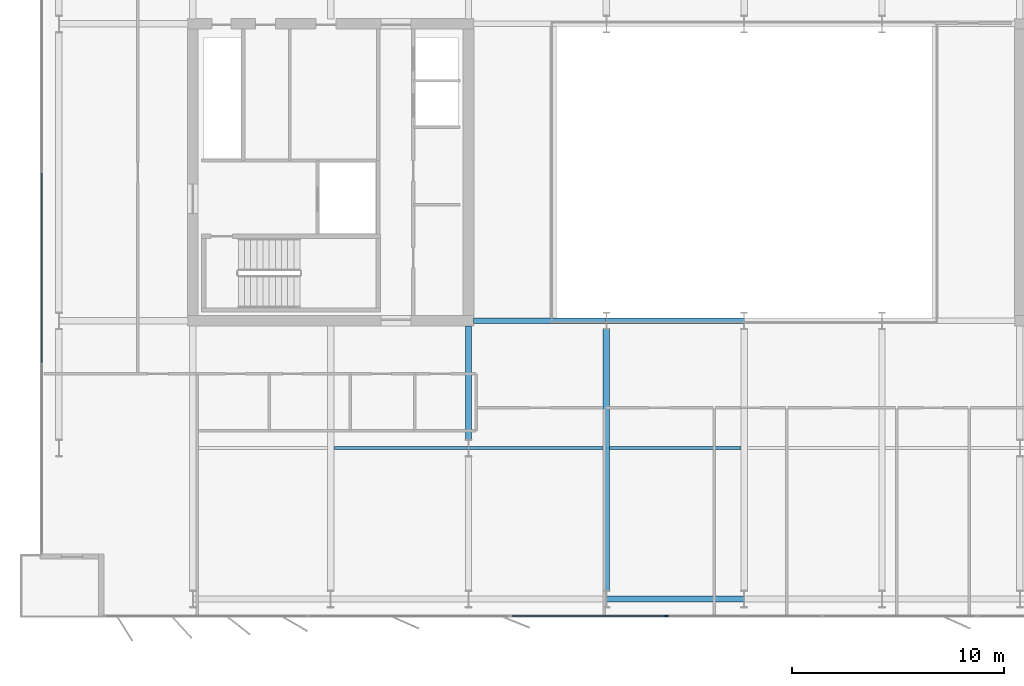
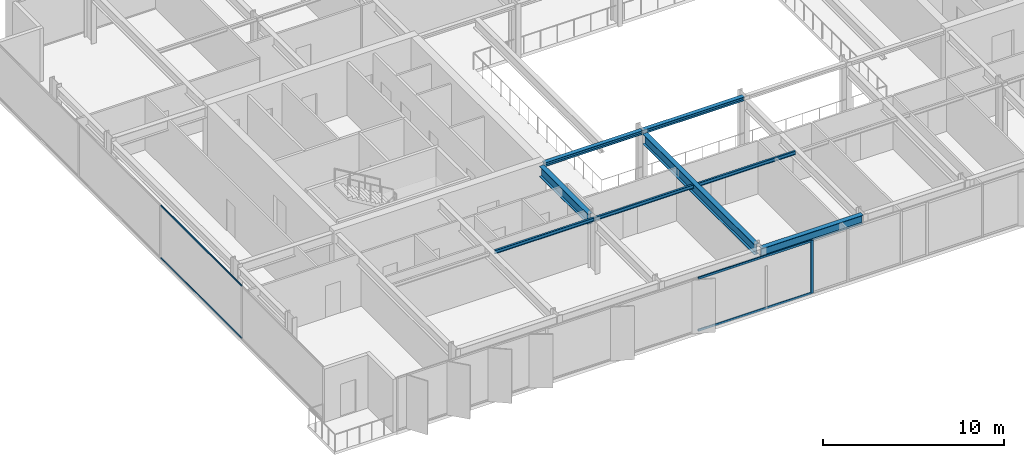
# One storey, part 4 of 24: 8 beams, 5 members, 2 elements without a shape of their own.
"""IFC4 building model written with IfcOpenShell, lengths in metres."""

from ifc_helpers import new_model, si_unit, direction, frame, origin, origin_2d, place, context, subcontext, project, spatial, rectangle, i_section, extrude, material, layer, layer_set, material_profile, profile_set, type_object, element, aggregate, save


model = new_model("IFC4")

# Units and contexts
model_context = context("Model", 3, precision=1e-05, world=origin(), true_north=direction((0.0, 1.0)))
body_context = subcontext(model_context, "Body", "Model", "MODEL_VIEW")
ifc_project = project(units=[si_unit("LENGTHUNIT", "METRE"), si_unit("AREAUNIT", "SQUARE_METRE"), si_unit("VOLUMEUNIT", "CUBIC_METRE"), si_unit("PLANEANGLEUNIT", "RADIAN"), si_unit("MASSUNIT", "GRAM", prefix="KILO")], contexts=[model_context])

# Site, building, storey
site_placement = place(None, origin())
site = spatial("IfcSite", under=ifc_project, at=site_placement, CompositionType="ELEMENT")
building_placement = place(site_placement, origin())
building = spatial("IfcBuilding", under=site, at=building_placement, Name="Putna Gate Headquarters", CompositionType="ELEMENT")
storey_placement = place(building_placement, frame((0.0, 0.0, 236.60009765625)))
storey = spatial("IfcBuildingStorey", under=building, at=storey_placement, Name="L59", CompositionType="ELEMENT", Elevation=236.60009765625)

# Beams
ifc_material_1 = material(Name="Steel S355J2", Category="steel")
ifc_material_profile_1 = material_profile(ifc_material_1, i_section(OverallWidth=0.260009765625, OverallDepth=0.260009765625, WebThickness=0.010009765625, FlangeThickness=0.017578125, at=origin_2d()), Name="Steel S355J2")
ifc_profile_set_1 = profile_set([ifc_material_profile_1], Name="Steel S355J2")
beam_type_1 = type_object("IfcBeamType", Name="BM-ATRIUM-HEB260", PredefinedType="BEAM", material=ifc_profile_set_1)
beam_1_placement = place(storey_placement, frame((26.235107421875, 19.0, 3.449951171875), z_axis=(1.0, 0.0, 0.0), x_axis=(0.0, 1.0, 0.0)))
element("IfcBeam", 1, at=beam_1_placement, inside=storey, type_object=beam_type_1, Name="L59 Atrium Edge Beam AS1", PredefinedType="BEAM", context=body_context, shape_type="SweptSolid", body=[
    extrude(i_section(OverallWidth=0.260009765625, OverallDepth=0.260009765625, WebThickness=0.010009765625, FlangeThickness=0.017578125, at=origin_2d()), origin(), (0.0, 0.0, 1.0), 6.2587890625),
])
beam_2_placement = place(storey_placement, frame((32.506103515625, 19.0, 3.449951171875), z_axis=(1.0, 0.0, 0.0), x_axis=(0.0, 1.0, 0.0)))
element("IfcBeam", 2, at=beam_2_placement, inside=storey, type_object=beam_type_1, Name="L59 Atrium Edge Beam AS2", PredefinedType="BEAM", context=body_context, shape_type="SweptSolid", body=[
    extrude(i_section(OverallWidth=0.260009765625, OverallDepth=0.260009765625, WebThickness=0.010009765625, FlangeThickness=0.017578125, at=origin_2d()), origin(), (0.0, 0.0, 1.0), 6.48779296875),
])
ifc_material_profile_2 = material_profile(ifc_material_1, i_section(OverallWidth=0.300048828125, OverallDepth=0.699951171875, WebThickness=0.01708984375, FlangeThickness=0.031982421875, at=origin_2d()), Name="Steel S355J2")
ifc_profile_set_2 = profile_set([ifc_material_profile_2], Name="Steel S355J2")
beam_type_2 = type_object("IfcBeamType", Name="BM-GIRD-B-HEB700", PredefinedType="USERDEFINED", material=ifc_profile_set_2)
beam_3_placement = place(storey_placement, frame((26.0, 13.39501953125, 3.22998046875), z_axis=(0.0, 1.0, 0.0), x_axis=(-1.0, 0.0, 0.0)))
element("IfcBeam", 3, at=beam_3_placement, inside=storey, type_object=beam_type_2, Name="L59 South Primary Girder X26-2", ObjectType="GIRDER", PredefinedType="USERDEFINED", context=body_context, shape_type="SweptSolid", body=[
    extrude(i_section(OverallWidth=0.300048828125, OverallDepth=0.699951171875, WebThickness=0.01708984375, FlangeThickness=0.031982421875, at=origin_2d()), origin(), (0.0, 0.0, 1.0), 5.369873046875),
])
beam_4_placement = place(storey_placement, frame((32.5, 6.27490234375, 3.22998046875), z_axis=(0.0, 1.0, 0.0), x_axis=(-1.0, 0.0, 0.0)))
element("IfcBeam", 4, at=beam_4_placement, inside=storey, type_object=beam_type_2, Name="L59 South Primary Girder X32", ObjectType="GIRDER", PredefinedType="USERDEFINED", context=body_context, shape_type="SweptSolid", body=[
    extrude(i_section(OverallWidth=0.300048828125, OverallDepth=0.699951171875, WebThickness=0.01708984375, FlangeThickness=0.031982421875, at=origin_2d()), origin(), (0.0, 0.0, 1.0), 12.330078125),
])
ifc_material_profile_3 = material_profile(ifc_material_1, i_section(OverallWidth=0.1201171875, OverallDepth=0.239990234375, WebThickness=0.006103515625, FlangeThickness=0.009765625, at=origin_2d()), Name="Steel S355J2")
ifc_profile_set_3 = profile_set([ifc_material_profile_3], Name="Steel S355J2")
beam_type_3 = type_object("IfcBeamType", Name="BM-SEC-Z4-IPE240", PredefinedType="JOIST", material=ifc_profile_set_3)
for number, where, z_axis, x_axis, name in (
    (5, (19.654052734375, 13.0, 3.4599609375), (1.0, 0.0, 0.0), (0.0, 1.0, 0.0), "L59 South Secondary Beam 2"),
    (6, (26.006103515625, 13.0, 3.4599609375), (1.0, 0.0, 0.0), (0.0, 1.0, 0.0), "L59 South Secondary Beam 3"),
):
    element("IfcBeam", number, at=place(storey_placement, frame(where, z_axis=z_axis, x_axis=x_axis)), inside=storey, type_object=beam_type_3, Name=name, PredefinedType="JOIST", context=body_context, shape_type="SweptSolid", body=[
        extrude(i_section(OverallWidth=0.1201171875, OverallDepth=0.239990234375, WebThickness=0.006103515625, FlangeThickness=0.009765625, at=origin_2d()), origin(), (0.0, 0.0, 1.0), 6.33984375),
    ])
beam_5_placement = place(storey_placement, frame((32.654052734375, 13.0, 3.4599609375), z_axis=(1.0, 0.0, 0.0), x_axis=(0.0, 1.0, 0.0)))
element("IfcBeam", 7, at=beam_5_placement, inside=storey, type_object=beam_type_3, Name="L59 South Secondary Beam 4", PredefinedType="JOIST", context=body_context, shape_type="SweptSolid", body=[
    extrude(i_section(OverallWidth=0.1201171875, OverallDepth=0.239990234375, WebThickness=0.006103515625, FlangeThickness=0.009765625, at=origin_2d()), origin(), (0.0, 0.0, 1.0), 6.19189453125),
])
ifc_material_profile_4 = material_profile(ifc_material_1, i_section(OverallWidth=0.300048828125, OverallDepth=0.590087890625, WebThickness=0.012939453125, FlangeThickness=0.02490234375, at=origin_2d()), Name="Steel S355J2")
ifc_profile_set_4 = profile_set([ifc_material_profile_4], Name="Steel S355J2")
beam_type_4 = type_object("IfcBeamType", Name="BM-SPAN-Z4-HEA600", PredefinedType="SPANDREL", material=ifc_profile_set_4)
beam_6_placement = place(storey_placement, frame((32.506103515625, 5.8798828125, 3.284912109375), z_axis=(1.0, 0.0, 0.0), x_axis=(0.0, 1.0, 0.0)))
element("IfcBeam", 8, at=beam_6_placement, inside=storey, type_object=beam_type_4, Name="L59 S Perimeter Spandrel 4", PredefinedType="SPANDREL", context=body_context, shape_type="SweptSolid", body=[
    extrude(i_section(OverallWidth=0.300048828125, OverallDepth=0.590087890625, WebThickness=0.012939453125, FlangeThickness=0.02490234375, at=origin_2d()), origin(), (0.0, 0.0, 1.0), 6.48779296875),
])

# Curtain wall, member
ifc_material_2 = material(Name="Anodised bronze aluminium curtain wall", Category="aluminium")
ifc_layer_1 = layer(ifc_material_2, 0.179931640625)
ifc_layer_set_1 = layer_set([ifc_layer_1], Name="Anodised bronze aluminium curtain wall")
curtain_wall_type_1 = type_object("IfcCurtainWallType", Name="CW-SYS-ATR", PredefinedType="USERDEFINED", material=ifc_layer_set_1)
curtain_wall_1_placement = place(storey_placement, origin())
curtain_wall_1 = element("IfcCurtainWall", 9, at=curtain_wall_1_placement, inside=storey, type_object=curtain_wall_type_1, Name="L59 South Atrium Clear Glazing", ObjectType="ATRIUM GLAZING", PredefinedType="USERDEFINED")
ifc_material_3 = material(Name="Anodised bronze aluminium EN AW-6060", Category="aluminium")
ifc_material_profile_5 = material_profile(ifc_material_3, rectangle(XDim=0.070068359375, YDim=0.179931640625, at=origin_2d()), Name="Anodised bronze aluminium EN AW-6060")
ifc_profile_set_5 = profile_set([ifc_material_profile_5], Name="Anodised bronze aluminium EN AW-6060")
member_type_1 = type_object("IfcMemberType", Name="MULL-CWM-AT", PredefinedType="MULLION", material=ifc_profile_set_5)
member_1_placement = place(storey_placement, frame((35.333251953125, 5.080078125, 0.0), z_axis=(0.0, 0.0, 1.0), x_axis=(0.0, 1.0, 0.0)))
member_1 = element("IfcMember", 10, at=member_1_placement, type_object=member_type_1, Name="CWS-AT mullion 2", PredefinedType="MULLION", context=body_context, shape_type="SweptSolid", body=[
    extrude(rectangle(XDim=0.070068359375, YDim=0.179931640625, at=origin_2d()), origin(), (0.0, 0.0, 1.0), 3.579833984375),
])

# Curtain wall, members
ifc_layer_2 = layer(ifc_material_2, 0.139892578125)
ifc_layer_set_2 = layer_set([ifc_layer_2], Name="Anodised bronze aluminium curtain wall")
curtain_wall_type_2 = type_object("IfcCurtainWallType", Name="CW-SYS-Z4", PredefinedType="USERDEFINED", material=ifc_layer_set_2)
curtain_wall_2_placement = place(storey_placement, origin())
curtain_wall_2 = element("IfcCurtainWall", 11, at=curtain_wall_2_placement, inside=storey, type_object=curtain_wall_type_2, Name="L59 West Curtain Wall", ObjectType="STICK CURTAIN WALL", PredefinedType="USERDEFINED")
ifc_material_profile_6 = material_profile(ifc_material_3, rectangle(XDim=0.06005859375, YDim=0.10009765625, at=origin_2d()), Name="Anodised bronze aluminium EN AW-6060")
ifc_profile_set_6 = profile_set([ifc_material_profile_6], Name="Anodised bronze aluminium EN AW-6060")
member_type_2 = type_object("IfcMemberType", Name="TRAN-CWT-4", PredefinedType="USERDEFINED", material=ifc_profile_set_6)
member_2_placement = place(storey_placement, frame((5.8798828125, 17.030029296875, 0.02978515625), z_axis=(0.0, 1.0, 0.0), x_axis=(-1.0, 0.0, 0.0)))
member_2 = element("IfcMember", 12, at=member_2_placement, type_object=member_type_2, Name="CWS-4 transom 2.1", ObjectType="TRANSOM", PredefinedType="USERDEFINED", context=body_context, shape_type="SweptSolid", body=[
    extrude(rectangle(XDim=0.06005859375, YDim=0.10009765625, at=origin_2d()), origin(), (0.0, 0.0, 1.0), 8.93994140625),
])
member_3_placement = place(storey_placement, frame((5.8798828125, 17.030029296875, 3.5498046875), z_axis=(0.0, 1.0, 0.0), x_axis=(-1.0, 0.0, 0.0)))
member_3 = element("IfcMember", 13, at=member_3_placement, type_object=member_type_2, Name="CWS-4 transom 2.2", ObjectType="TRANSOM", PredefinedType="USERDEFINED", context=body_context, shape_type="SweptSolid", body=[
    extrude(rectangle(XDim=0.06005859375, YDim=0.10009765625, at=origin_2d()), origin(), (0.0, 0.0, 1.0), 8.93994140625),
])
aggregate(curtain_wall_2, [member_2, member_3])

# Member
ifc_material_profile_7 = material_profile(ifc_material_3, rectangle(XDim=0.070068359375, YDim=0.139892578125, at=origin_2d()), Name="Anodised bronze aluminium EN AW-6060")
ifc_profile_set_7 = profile_set([ifc_material_profile_7], Name="Anodised bronze aluminium EN AW-6060")
member_type_3 = type_object("IfcMemberType", Name="TRAN-CWT-AT", PredefinedType="USERDEFINED", material=ifc_profile_set_7)
member_4_placement = place(storey_placement, frame((28.070068359375, 5.080078125, 0.034912109375), z_axis=(1.0, 0.0, 0.0), x_axis=(0.0, 1.0, 0.0)))
member_4 = element("IfcMember", 14, at=member_4_placement, type_object=member_type_3, Name="CWS-AT transom 1.1", ObjectType="TRANSOM", PredefinedType="USERDEFINED", context=body_context, shape_type="SweptSolid", body=[
    extrude(rectangle(XDim=0.070068359375, YDim=0.139892578125, at=origin_2d()), origin(), (0.0, 0.0, 1.0), 7.228271484375),
])

member_5_placement = place(storey_placement, frame((28.070068359375, 5.080078125, 3.544921875), z_axis=(1.0, 0.0, 0.0), x_axis=(0.0, 1.0, 0.0)))
member_5 = element("IfcMember", 15, at=member_5_placement, type_object=member_type_3, Name="CWS-AT transom 1.2", ObjectType="TRANSOM", PredefinedType="USERDEFINED", context=body_context, shape_type="SweptSolid", body=[
    extrude(rectangle(XDim=0.070068359375, YDim=0.139892578125, at=origin_2d()), origin(), (0.0, 0.0, 1.0), 7.228271484375),
])

aggregate(curtain_wall_1, [member_1, member_4, member_5])

save(model, "model.ifc")
